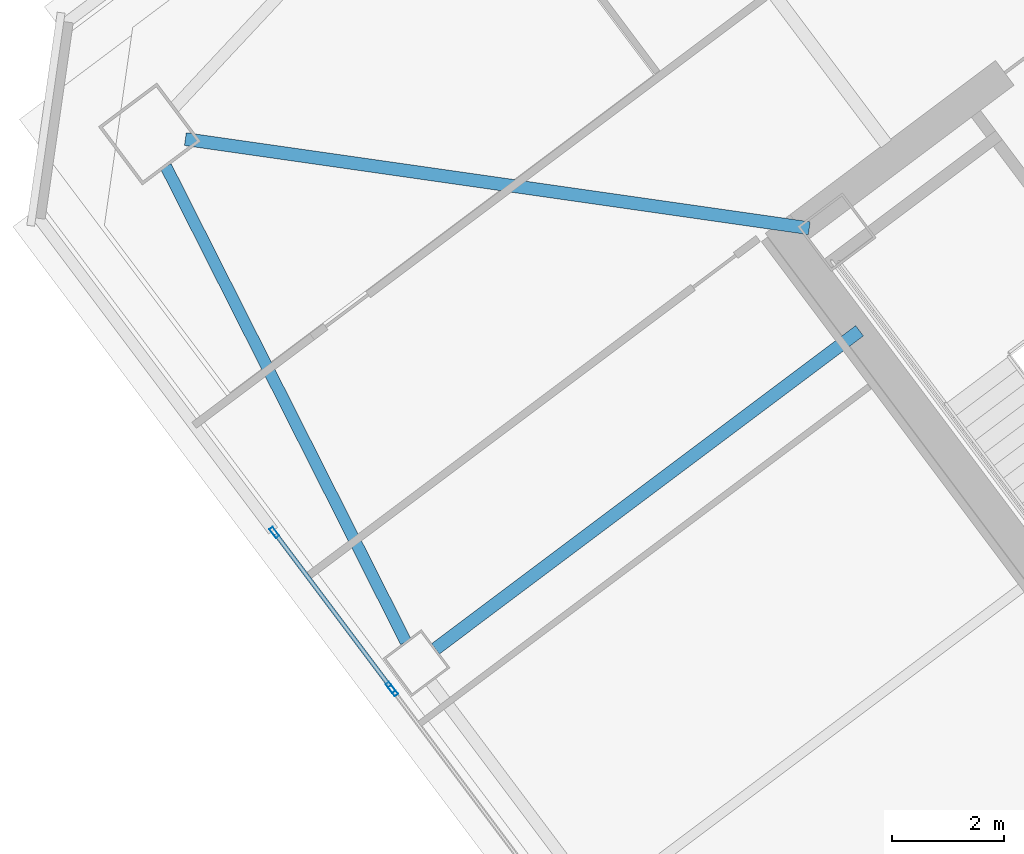
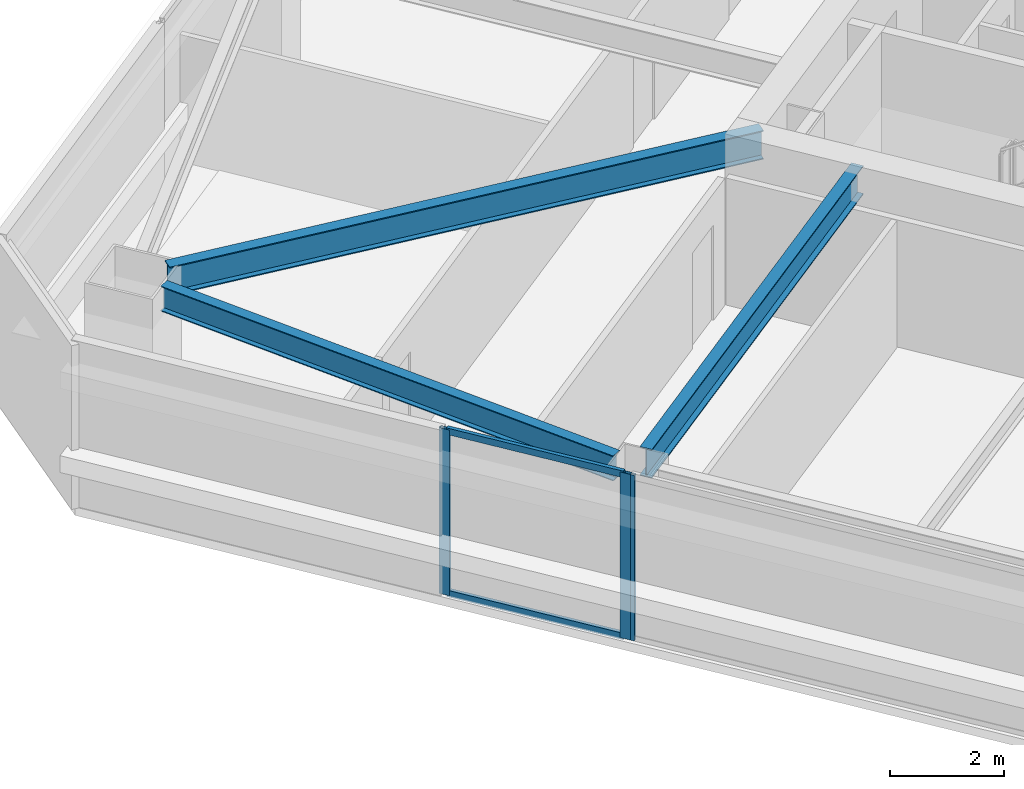
# One storey, part 20 of 41: 5 members, 3 beams, 2 elements without a shape of their own.
"""IFC4 building model written with IfcOpenShell, lengths in metres."""

from ifc_helpers import new_model, si_unit, direction, frame, origin, origin_2d, place, context, subcontext, project, spatial, hollow_rectangle, i_section, extrude, material, material_profile, profile_set, type_object, element, aggregate, save


model = new_model("IFC4")

# Units and contexts
model_context = context("Model", 3, precision=1e-05, world=origin(), true_north=direction((0.0, 1.0)))
body_context = subcontext(model_context, "Body", "Model", "MODEL_VIEW")
ifc_project = project(units=[si_unit("LENGTHUNIT", "METRE"), si_unit("AREAUNIT", "SQUARE_METRE"), si_unit("VOLUMEUNIT", "CUBIC_METRE"), si_unit("PLANEANGLEUNIT", "RADIAN"), si_unit("MASSUNIT", "GRAM", prefix="KILO")], contexts=[model_context])

# Site, building, storey
site_placement = place(None, origin())
site = spatial("IfcSite", under=ifc_project, at=site_placement, CompositionType="ELEMENT")
building_placement = place(site_placement, origin())
building = spatial("IfcBuilding", under=site, at=building_placement, Name="Tashvorn Skyway Center", CompositionType="ELEMENT")
storey_placement = place(building_placement, frame((0.0, 0.0, 146.35009765625)))
storey = spatial("IfcBuildingStorey", under=building, at=storey_placement, Name="L39", CompositionType="ELEMENT", Elevation=146.35009765625)

# Beams
ifc_material_1 = material(Name="Steel ASTM A992 Grade 50", Category="steel")
ifc_material_profile_1 = material_profile(ifc_material_1, i_section(OverallWidth=0.22998046875, OverallDepth=0.616943359375, WebThickness=0.01318359375, FlangeThickness=0.022216796875, at=origin_2d()), Name="W24X94")
ifc_profile_set_1 = profile_set([ifc_material_profile_1], Name="Steel ASTM A992 Grade 50")
beam_type_1 = type_object("IfcBeamType", Name="BM-BEAM-W24X94", PredefinedType="BEAM", material=ifc_profile_set_1)
beam_1_placement = place(storey_placement, frame((92.5185546875, 35.06884765625, 3.0615234375), z_axis=(0.989948189712, -0.141430483583, 0.0), x_axis=(0.141430483583, 0.989948189712, 0.0)))
element("IfcBeam", 1, at=beam_1_placement, inside=storey, type_object=beam_type_1, Name="Tower 2 L39 Primary Floor Girder MC-NW", PredefinedType="BEAM", context=body_context, shape_type="SweptSolid", body=[
    extrude(i_section(OverallWidth=0.22998046875, OverallDepth=0.616943359375, WebThickness=0.01318359375, FlangeThickness=0.022216796875, at=origin_2d()), origin(), (0.0, 0.0, 1.0), 11.234375),
])
beam_2_placement = place(storey_placement, frame((96.97607421875, 25.98193359375, 3.0615234375), z_axis=(0.799984498661, 0.600020667896, 0.0), x_axis=(-0.600020667896, 0.799984498661, 0.0)))
element("IfcBeam", 2, at=beam_2_placement, inside=storey, type_object=beam_type_1, Name="Tower 2 L39 Primary Floor Girder FC-W1", PredefinedType="BEAM", context=body_context, shape_type="SweptSolid", body=[
    extrude(i_section(OverallWidth=0.22998046875, OverallDepth=0.616943359375, WebThickness=0.01318359375, FlangeThickness=0.022216796875, at=origin_2d()), origin(), (0.0, 0.0, 1.0), 9.449951171875),
])
ifc_material_profile_2 = material_profile(ifc_material_1, i_section(OverallWidth=0.2109375, OverallDepth=0.5390625, WebThickness=0.01171875, FlangeThickness=0.018798828125, at=origin_2d()), Name="W21X73")
ifc_profile_set_2 = profile_set([ifc_material_profile_2], Name="Steel ASTM A992 Grade 50")
beam_type_2 = type_object("IfcBeamType", Name="BM-SPANDREL-W21X73", PredefinedType="SPANDREL", material=ifc_profile_set_2)
beam_3_placement = place(storey_placement, frame((92.170654296875, 34.584228515625, 3.100341796875), z_axis=(0.450613543136, -0.892719124217, 0.0), x_axis=(0.892719124217, 0.450613543136, 0.0)))
element("IfcBeam", 3, at=beam_3_placement, inside=storey, type_object=beam_type_2, Name="Tower 2 L39 Spandrel Beam 10", PredefinedType="SPANDREL", context=body_context, shape_type="SweptSolid", body=[
    extrude(i_section(OverallWidth=0.2109375, OverallDepth=0.5390625, WebThickness=0.01171875, FlangeThickness=0.018798828125, at=origin_2d()), origin(), (0.0, 0.0, 1.0), 9.498291015625),
])

# Curtain wall, member
ifc_material_2 = material(Name="Thermally broken bronze-anodized aluminium 6063-T6", Category="aluminium")
curtain_wall_type = type_object("IfcCurtainWallType", Name="CW-CW-Z3", PredefinedType="NOTDEFINED", material=ifc_material_2)
curtain_wall_1_placement = place(storey_placement, origin())
curtain_wall_1 = element("IfcCurtainWall", 4, at=curtain_wall_1_placement, inside=storey, type_object=curtain_wall_type, Name="Tower 2 L39 West Unitised Curtain Wall Glazing Group 2", PredefinedType="NOTDEFINED")
ifc_material_profile_3 = material_profile(ifc_material_2, hollow_rectangle(XDim=0.074951171875, YDim=0.199951171875, WallThickness=0.00439453125, at=origin_2d()), Name="ALU-MULL-75x200")
ifc_profile_set_3 = profile_set([ifc_material_profile_3], Name="Thermally broken bronze-anodized aluminium 6063-T6")
member_type_1 = type_object("IfcMemberType", Name="CWM-CW-Z3", PredefinedType="MULLION", material=ifc_profile_set_3)
member_1_placement = place(storey_placement, frame((96.222412109375, 25.23681640625, 0.0), z_axis=(0.0, 0.0, 1.0), x_axis=(-0.800002266987, -0.599996977339, 0.0)))
member_1 = element("IfcMember", 5, at=member_1_placement, type_object=member_type_1, Name="CW-Z3 mullion 2", PredefinedType="MULLION", context=body_context, shape_type="SweptSolid", body=[
    extrude(hollow_rectangle(XDim=0.074951171875, YDim=0.199951171875, WallThickness=0.00439453125, at=origin_2d()), origin(), (0.0, 0.0, 1.0), 3.5498046875),
])
aggregate(curtain_wall_1, [member_1])

# Curtain wall, members
curtain_wall_2_placement = place(storey_placement, origin())
curtain_wall_2 = element("IfcCurtainWall", 6, at=curtain_wall_2_placement, inside=storey, type_object=curtain_wall_type, Name="Tower 2 L39 West Unitised Curtain Wall Glazing Group 3", PredefinedType="NOTDEFINED")
member_2_placement = place(storey_placement, frame((96.177490234375, 25.296630859375, 0.0), z_axis=(0.0, 0.0, 1.0), x_axis=(-0.800003400519, -0.599995465948, 0.0)))
member_2 = element("IfcMember", 7, at=member_2_placement, type_object=member_type_1, Name="CW-Z3 mullion 1", PredefinedType="MULLION", context=body_context, shape_type="SweptSolid", body=[
    extrude(hollow_rectangle(XDim=0.074951171875, YDim=0.199951171875, WallThickness=0.00439453125, at=origin_2d()), origin(), (0.0, 0.0, 1.0), 3.5498046875),
])
member_3_placement = place(storey_placement, frame((94.105224609375, 28.059814453125, 0.0), z_axis=(0.0, 0.0, 1.0), x_axis=(-0.800003400519, -0.599995465948, 0.0)))
member_3 = element("IfcMember", 8, at=member_3_placement, type_object=member_type_1, Name="CW-Z3 mullion 2", PredefinedType="MULLION", context=body_context, shape_type="SweptSolid", body=[
    extrude(hollow_rectangle(XDim=0.074951171875, YDim=0.199951171875, WallThickness=0.00439453125, at=origin_2d()), origin(), (0.0, 0.0, 1.0), 3.5498046875),
])
ifc_material_profile_4 = material_profile(ifc_material_2, hollow_rectangle(XDim=0.074951171875, YDim=0.139892578125, WallThickness=0.004150390625, at=origin_2d()), Name="ALU-TRAN-75x140")
ifc_profile_set_4 = profile_set([ifc_material_profile_4], Name="Thermally broken bronze-anodized aluminium 6063-T6")
member_type_2 = type_object("IfcMemberType", Name="CWT-CW-Z3", PredefinedType="USERDEFINED", material=ifc_profile_set_4)
member_4_placement = place(storey_placement, frame((96.155029296875, 25.32666015625, 0.037353515625), z_axis=(-0.6, 0.8, 0.0), x_axis=(-0.8, -0.6, 0.0)))
member_4 = element("IfcMember", 9, at=member_4_placement, type_object=member_type_2, Name="CW-Z3 transom 1.1", ObjectType="TRANSOM", PredefinedType="USERDEFINED", context=body_context, shape_type="SweptSolid", body=[
    extrude(hollow_rectangle(XDim=0.074951171875, YDim=0.139892578125, WallThickness=0.004150390625, at=origin_2d()), origin(), (0.0, 0.0, 1.0), 3.37890625),
])
member_5_placement = place(storey_placement, frame((96.155029296875, 25.32666015625, 3.512451171875), z_axis=(-0.6, 0.8, 0.0), x_axis=(-0.8, -0.6, 0.0)))
member_5 = element("IfcMember", 10, at=member_5_placement, type_object=member_type_2, Name="CW-Z3 transom 1.2", ObjectType="TRANSOM", PredefinedType="USERDEFINED", context=body_context, shape_type="SweptSolid", body=[
    extrude(hollow_rectangle(XDim=0.074951171875, YDim=0.139892578125, WallThickness=0.004150390625, at=origin_2d()), origin(), (0.0, 0.0, 1.0), 3.37890625),
])
aggregate(curtain_wall_2, [member_2, member_3, member_4, member_5])

save(model, "model.ifc")
